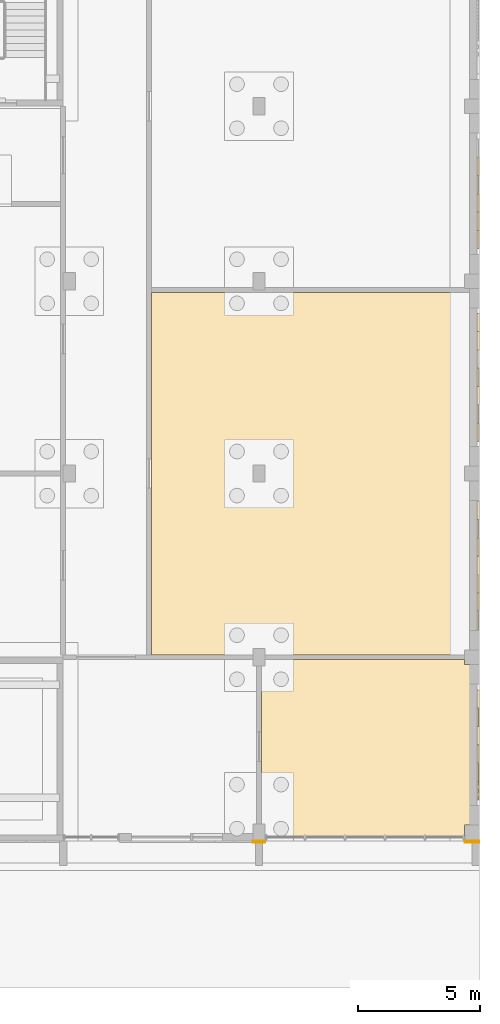
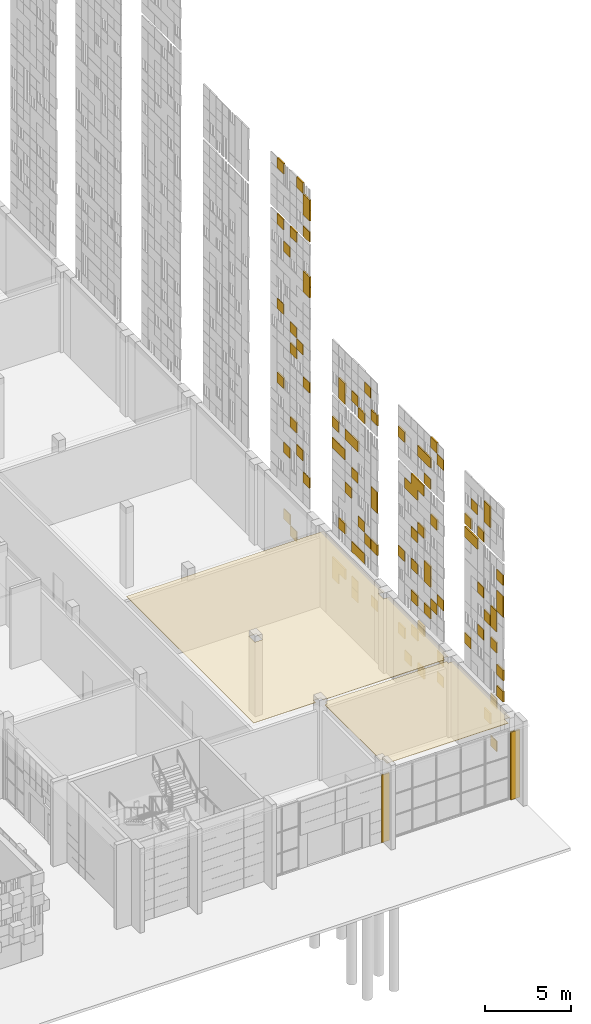
# One storey, part 104 of 125: 4 coverings.
"""IFC4 building model written with IfcOpenShell, lengths in metres."""

from ifc_helpers import new_model, si_unit, direction, frame, origin, origin_2d, place, context, subcontext, project, spatial, polyline, rectangle, outline, extrude, material, layer, layer_set, type_object, element, save


model = new_model("IFC4")

# Units and contexts
model_context = context("Model", 3, precision=1e-05, world=origin(), true_north=direction((0.0, 1.0)))
body_context = subcontext(model_context, "Body", "Model", "MODEL_VIEW")
ifc_project = project(units=[si_unit("LENGTHUNIT", "METRE"), si_unit("AREAUNIT", "SQUARE_METRE"), si_unit("VOLUMEUNIT", "CUBIC_METRE"), si_unit("PLANEANGLEUNIT", "RADIAN"), si_unit("MASSUNIT", "GRAM", prefix="KILO")], contexts=[model_context])

# Site, building, storey
site_placement = place(None, origin())
site = spatial("IfcSite", under=ifc_project, at=site_placement, CompositionType="ELEMENT")
building_placement = place(site_placement, origin())
building = spatial("IfcBuilding", under=site, at=building_placement, Name="Sun Court Science Centre", CompositionType="ELEMENT")
storey_placement = place(building_placement, origin())
storey = spatial("IfcBuildingStorey", under=building, at=storey_placement, Name="L00", CompositionType="ELEMENT", Elevation=0.0)

# Coverings
ifc_material_1 = material(Name="Gypsum board")
ifc_layer_1 = layer(ifc_material_1, 0.030029296875)
ifc_layer_set_1 = layer_set([ifc_layer_1], Name="Gypsum board")
covering_type_1 = type_object("IfcCoveringType", Name="Ceiling suspended 600 module", PredefinedType="CEILING", material=ifc_layer_set_1)
covering_1_placement = place(storey_placement, frame((0.0, 0.0, 5.27001953125)))
element("IfcCovering", 1, at=covering_1_placement, inside=storey, type_object=covering_type_1, Name="L00-044 ceiling", PredefinedType="CEILING", context=body_context, shape_type="SweptSolid", body=[
    extrude(outline(polyline([(103.39990234375, 6.199951171875), (95.25, 6.199951171875), (95.25, 6.699951171875), (95.10009765625, 6.699951171875), (95.10009765625, 13.14990234375), (95.25, 13.14990234375), (95.25, 13.39990234375), (103.39990234375, 13.39990234375), (103.39990234375, 13.199951171875), (103.800048828125, 13.199951171875), (103.800048828125, 6.64990234375), (103.39990234375, 6.64990234375), (103.39990234375, 6.199951171875)])), origin(), (0.0, 0.0, 1.0), 0.030029296875),
])
covering_2_placement = place(storey_placement, frame((0.0, 0.0, 5.27001953125)))
element("IfcCovering", 2, at=covering_2_placement, inside=storey, type_object=covering_type_1, Name="L00-053 ceiling", PredefinedType="CEILING", context=body_context, shape_type="SweptSolid", body=[
    extrude(outline(polyline([(95.25, 13.60009765625), (95.25, 13.85009765625), (94.75, 13.85009765625), (94.75, 13.60009765625), (90.60009765625, 13.60009765625), (90.60009765625, 28.39990234375), (103.800048828125, 28.39990234375), (103.800048828125, 21.300048828125), (103.39990234375, 21.300048828125), (103.39990234375, 20.699951171875), (103.800048828125, 20.699951171875), (103.800048828125, 13.800048828125), (103.39990234375, 13.800048828125), (103.39990234375, 13.60009765625), (95.25, 13.60009765625)]), holes=[polyline([(95.25, 20.64990234375), (95.25, 21.35009765625), (94.75, 21.35009765625), (94.75, 20.64990234375), (95.25, 20.64990234375)])]), origin(), (0.0, 0.0, 1.0), 0.030029296875),
])
ifc_material_2 = material(Name="Red sandstone", Category="masonry")
ifc_layer_2 = layer(ifc_material_2, 0.080078125)
ifc_layer_set_2 = layer_set([ifc_layer_2], Name="Red sandstone")
covering_type_2 = type_object("IfcCoveringType", Name="Red sandstone pier cladding", PredefinedType="CLADDING", material=ifc_layer_set_2)
covering_3_placement = place(storey_placement, origin())
element("IfcCovering", 3, at=covering_3_placement, inside=storey, type_object=covering_type_2, Name="Red sandstone pier cladding south face L00", PredefinedType="CLADDING", context=body_context, shape_type="SweptSolid", body=[
    extrude(rectangle(XDim=0.60009765625, YDim=0.080078125, at=origin_2d()), frame((103.699951171875, 5.9599609375, 0.0), z_axis=(0.0, 0.0, 1.0), x_axis=(-1.0, 0.0, 0.0)), (0.0, 0.0, 1.0), 4.800048828125),
    extrude(rectangle(XDim=0.5, YDim=0.080078125, at=origin_2d()), frame((95.0, 5.9599609375, 0.0), z_axis=(0.0, 0.0, 1.0), x_axis=(-1.0, 0.0, 0.0)), (0.0, 0.0, 1.0), 4.800048828125),
])
ifc_material_3 = material(Name="Terracotta shade 3", Category="masonry")
ifc_layer_3 = layer(ifc_material_3, 0.06005859375)
ifc_layer_set_3 = layer_set([ifc_layer_3], Name="Terracotta shade 3")
covering_type_3 = type_object("IfcCoveringType", Name="Terracotta pixel panel shade 3", PredefinedType="CLADDING", material=ifc_layer_set_3)
covering_4_placement = place(storey_placement, origin())
element("IfcCovering", 4, at=covering_4_placement, inside=storey, type_object=covering_type_3, Name="Terracotta pixel cladding shade 3 east party wall L00", PredefinedType="CLADDING", context=body_context, shape_type="SweptSolid", body=[
    extrude(rectangle(XDim=0.739990234375, YDim=0.06005859375, at=origin_2d()), frame((103.929931640625, 8.800048828125, 1.72998046875), z_axis=(0.0, 0.0, 1.0), x_axis=(0.0, -1.0, 0.0)), (0.0, 0.0, 1.0), 0.739990234375),
    extrude(rectangle(XDim=0.739990234375, YDim=0.10009765625, at=origin_2d()), frame((103.949951171875, 9.550048828125, 3.22998046875), z_axis=(0.0, 0.0, 1.0), x_axis=(0.0, -1.0, 0.0)), (0.0, 0.0, 1.0), 0.739990234375),
    extrude(rectangle(XDim=0.739990234375, YDim=0.06005859375, at=origin_2d()), frame((103.929931640625, 8.800048828125, 4.72998046875), z_axis=(0.0, 0.0, 1.0), x_axis=(0.0, -1.0, 0.0)), (0.0, 0.0, 1.0), 0.739990234375),
    extrude(rectangle(XDim=0.739990234375, YDim=0.06005859375, at=origin_2d()), frame((103.929931640625, 18.75, 1.72998046875), z_axis=(0.0, 0.0, 1.0), x_axis=(0.0, -1.0, 0.0)), (0.0, 0.0, 1.0), 0.739990234375),
    extrude(rectangle(XDim=0.739990234375, YDim=0.10009765625, at=origin_2d()), frame((103.949951171875, 17.25, 1.72998046875), z_axis=(0.0, 0.0, 1.0), x_axis=(0.0, -1.0, 0.0)), (0.0, 0.0, 1.0), 0.739990234375),
    extrude(rectangle(XDim=0.739990234375, YDim=0.06005859375, at=origin_2d()), frame((103.929931640625, 15.0, 2.47998046875), z_axis=(0.0, 0.0, 1.0), x_axis=(0.0, -1.0, 0.0)), (0.0, 0.0, 1.0), 0.739990234375),
    extrude(rectangle(XDim=0.739990234375, YDim=0.10009765625, at=origin_2d()), frame((103.949951171875, 19.5, 3.22998046875), z_axis=(0.0, 0.0, 1.0), x_axis=(0.0, -1.0, 0.0)), (0.0, 0.0, 1.0), 0.739990234375),
    extrude(rectangle(XDim=0.739990234375, YDim=0.10009765625, at=origin_2d()), frame((103.949951171875, 18.0, 3.97998046875), z_axis=(0.0, 0.0, 1.0), x_axis=(0.0, -1.0, 0.0)), (0.0, 0.0, 1.0), 0.739990234375),
    extrude(rectangle(XDim=0.739990234375, YDim=0.06005859375, at=origin_2d()), frame((103.929931640625, 15.0, 3.97998046875), z_axis=(0.0, 0.0, 1.0), x_axis=(0.0, -1.0, 0.0)), (0.0, 0.0, 1.0), 0.739990234375),
    extrude(rectangle(XDim=0.739990234375, YDim=0.10009765625, at=origin_2d()), frame((103.949951171875, 17.25, 4.72998046875), z_axis=(0.0, 0.0, 1.0), x_axis=(0.0, -1.0, 0.0)), (0.0, 0.0, 1.0), 0.739990234375),
    extrude(rectangle(XDim=0.739990234375, YDim=0.06005859375, at=origin_2d()), frame((103.929931640625, 27.175048828125, 2.47998046875), z_axis=(0.0, 0.0, 1.0), x_axis=(0.0, -1.0, 0.0)), (0.0, 0.0, 1.0), 0.739990234375),
    extrude(rectangle(XDim=0.739990234375, YDim=0.06005859375, at=origin_2d()), frame((103.929931640625, 24.925048828125, 2.47998046875), z_axis=(0.0, 0.0, 1.0), x_axis=(0.0, -1.0, 0.0)), (0.0, 0.0, 1.0), 0.739990234375),
    extrude(rectangle(XDim=0.739990234375, YDim=0.10009765625, at=origin_2d()), frame((103.949951171875, 27.175048828125, 3.22998046875), z_axis=(0.0, 0.0, 1.0), x_axis=(0.0, -1.0, 0.0)), (0.0, 0.0, 1.0), 0.739990234375),
    extrude(rectangle(XDim=0.739990234375, YDim=0.10009765625, at=origin_2d()), frame((103.949951171875, 26.425048828125, 3.22998046875), z_axis=(0.0, 0.0, 1.0), x_axis=(0.0, -1.0, 0.0)), (0.0, 0.0, 1.0), 0.739990234375),
    extrude(rectangle(XDim=0.739990234375, YDim=0.06005859375, at=origin_2d()), frame((103.929931640625, 24.925048828125, 3.22998046875), z_axis=(0.0, 0.0, 1.0), x_axis=(0.0, -1.0, 0.0)), (0.0, 0.0, 1.0), 0.739990234375),
    extrude(rectangle(XDim=0.739990234375, YDim=0.06005859375, at=origin_2d()), frame((103.929931640625, 22.675048828125, 3.22998046875), z_axis=(0.0, 0.0, 1.0), x_axis=(0.0, -1.0, 0.0)), (0.0, 0.0, 1.0), 0.739990234375),
    extrude(rectangle(XDim=0.739990234375, YDim=0.06005859375, at=origin_2d()), frame((103.929931640625, 32.050048828125, 2.47998046875), z_axis=(0.0, 0.0, 1.0), x_axis=(0.0, -1.0, 0.0)), (0.0, 0.0, 1.0), 0.739990234375),
    extrude(rectangle(XDim=0.739990234375, YDim=0.06005859375, at=origin_2d()), frame((103.929931640625, 32.800048828125, 3.22998046875), z_axis=(0.0, 0.0, 1.0), x_axis=(0.0, -1.0, 0.0)), (0.0, 0.0, 1.0), 0.739990234375),
    extrude(rectangle(XDim=0.739990234375, YDim=0.10009765625, at=origin_2d()), frame((103.949951171875, 8.050048828125, 5.705078125), z_axis=(0.0, 0.0, 1.0), x_axis=(0.0, -1.0, 0.0)), (0.0, 0.0, 1.0), 0.739990234375),
    extrude(rectangle(XDim=0.739990234375, YDim=0.06005859375, at=origin_2d()), frame((103.929931640625, 11.800048828125, 7.205078125), z_axis=(0.0, 0.0, 1.0), x_axis=(0.0, -1.0, 0.0)), (0.0, 0.0, 1.0), 0.739990234375),
    extrude(rectangle(XDim=0.739990234375, YDim=0.10009765625, at=origin_2d()), frame((103.949951171875, 8.050048828125, 7.205078125), z_axis=(0.0, 0.0, 1.0), x_axis=(0.0, -1.0, 0.0)), (0.0, 0.0, 1.0), 0.739990234375),
    extrude(rectangle(XDim=0.739990234375, YDim=0.06005859375, at=origin_2d()), frame((103.929931640625, 10.300048828125, 8.705078125), z_axis=(0.0, 0.0, 1.0), x_axis=(0.0, -1.0, 0.0)), (0.0, 0.0, 1.0), 0.739990234375),
    extrude(rectangle(XDim=0.739990234375, YDim=0.10009765625, at=origin_2d()), frame((103.949951171875, 8.800048828125, 8.705078125), z_axis=(0.0, 0.0, 1.0), x_axis=(0.0, -1.0, 0.0)), (0.0, 0.0, 1.0), 0.739990234375),
    extrude(rectangle(XDim=0.739990234375, YDim=0.10009765625, at=origin_2d()), frame((103.949951171875, 9.550048828125, 10.205078125), z_axis=(0.0, 0.0, 1.0), x_axis=(0.0, -1.0, 0.0)), (0.0, 0.0, 1.0), 0.739990234375),
    extrude(rectangle(XDim=0.739990234375, YDim=0.06005859375, at=origin_2d()), frame((103.929931640625, 8.800048828125, 10.205078125), z_axis=(0.0, 0.0, 1.0), x_axis=(0.0, -1.0, 0.0)), (0.0, 0.0, 1.0), 0.739990234375),
    extrude(rectangle(XDim=0.739990234375, YDim=0.10009765625, at=origin_2d()), frame((103.949951171875, 18.0, 6.455078125), z_axis=(0.0, 0.0, 1.0), x_axis=(0.0, -1.0, 0.0)), (0.0, 0.0, 1.0), 0.739990234375),
    extrude(rectangle(XDim=0.739990234375, YDim=0.10009765625, at=origin_2d()), frame((103.949951171875, 16.5, 6.455078125), z_axis=(0.0, 0.0, 1.0), x_axis=(0.0, -1.0, 0.0)), (0.0, 0.0, 1.0), 0.739990234375),
    extrude(rectangle(XDim=0.739990234375, YDim=0.06005859375, at=origin_2d()), frame((103.929931640625, 15.75, 7.205078125), z_axis=(0.0, 0.0, 1.0), x_axis=(0.0, -1.0, 0.0)), (0.0, 0.0, 1.0), 0.739990234375),
    extrude(rectangle(XDim=0.739990234375, YDim=0.06005859375, at=origin_2d()), frame((103.929931640625, 15.0, 7.955078125), z_axis=(0.0, 0.0, 1.0), x_axis=(0.0, -1.0, 0.0)), (0.0, 0.0, 1.0), 0.739990234375),
    extrude(rectangle(XDim=0.739990234375, YDim=0.06005859375, at=origin_2d()), frame((103.929931640625, 19.5, 8.705078125), z_axis=(0.0, 0.0, 1.0), x_axis=(0.0, -1.0, 0.0)), (0.0, 0.0, 1.0), 0.739990234375),
    extrude(rectangle(XDim=0.739990234375, YDim=0.06005859375, at=origin_2d()), frame((103.929931640625, 18.0, 8.705078125), z_axis=(0.0, 0.0, 1.0), x_axis=(0.0, -1.0, 0.0)), (0.0, 0.0, 1.0), 0.739990234375),
    extrude(rectangle(XDim=0.739990234375, YDim=0.10009765625, at=origin_2d()), frame((103.949951171875, 16.5, 8.705078125), z_axis=(0.0, 0.0, 1.0), x_axis=(0.0, -1.0, 0.0)), (0.0, 0.0, 1.0), 0.739990234375),
    extrude(rectangle(XDim=0.739990234375, YDim=0.10009765625, at=origin_2d()), frame((103.949951171875, 16.5, 9.455078125), z_axis=(0.0, 0.0, 1.0), x_axis=(0.0, -1.0, 0.0)), (0.0, 0.0, 1.0), 0.739990234375),
    extrude(rectangle(XDim=0.739990234375, YDim=0.06005859375, at=origin_2d()), frame((103.929931640625, 24.925048828125, 5.705078125), z_axis=(0.0, 0.0, 1.0), x_axis=(0.0, -1.0, 0.0)), (0.0, 0.0, 1.0), 0.739990234375),
    extrude(rectangle(XDim=0.739990234375, YDim=0.06005859375, at=origin_2d()), frame((103.929931640625, 24.175048828125, 5.705078125), z_axis=(0.0, 0.0, 1.0), x_axis=(0.0, -1.0, 0.0)), (0.0, 0.0, 1.0), 0.739990234375),
    extrude(rectangle(XDim=0.739990234375, YDim=0.10009765625, at=origin_2d()), frame((103.949951171875, 26.425048828125, 6.455078125), z_axis=(0.0, 0.0, 1.0), x_axis=(0.0, -1.0, 0.0)), (0.0, 0.0, 1.0), 0.739990234375),
    extrude(rectangle(XDim=0.739990234375, YDim=0.06005859375, at=origin_2d()), frame((103.929931640625, 23.425048828125, 7.205078125), z_axis=(0.0, 0.0, 1.0), x_axis=(0.0, -1.0, 0.0)), (0.0, 0.0, 1.0), 0.739990234375),
    extrude(rectangle(XDim=0.739990234375, YDim=0.10009765625, at=origin_2d()), frame((103.949951171875, 22.675048828125, 7.205078125), z_axis=(0.0, 0.0, 1.0), x_axis=(0.0, -1.0, 0.0)), (0.0, 0.0, 1.0), 0.739990234375),
    extrude(rectangle(XDim=0.739990234375, YDim=0.06005859375, at=origin_2d()), frame((103.929931640625, 24.175048828125, 7.955078125), z_axis=(0.0, 0.0, 1.0), x_axis=(0.0, -1.0, 0.0)), (0.0, 0.0, 1.0), 0.739990234375),
    extrude(rectangle(XDim=0.739990234375, YDim=0.06005859375, at=origin_2d()), frame((103.929931640625, 25.675048828125, 9.455078125), z_axis=(0.0, 0.0, 1.0), x_axis=(0.0, -1.0, 0.0)), (0.0, 0.0, 1.0), 0.739990234375),
    extrude(rectangle(XDim=0.739990234375, YDim=0.06005859375, at=origin_2d()), frame((103.929931640625, 22.675048828125, 10.205078125), z_axis=(0.0, 0.0, 1.0), x_axis=(0.0, -1.0, 0.0)), (0.0, 0.0, 1.0), 0.739990234375),
    extrude(rectangle(XDim=0.739990234375, YDim=0.06005859375, at=origin_2d()), frame((103.929931640625, 30.550048828125, 7.205078125), z_axis=(0.0, 0.0, 1.0), x_axis=(0.0, -1.0, 0.0)), (0.0, 0.0, 1.0), 0.739990234375),
    extrude(rectangle(XDim=0.739990234375, YDim=0.06005859375, at=origin_2d()), frame((103.929931640625, 32.800048828125, 7.955078125), z_axis=(0.0, 0.0, 1.0), x_axis=(0.0, -1.0, 0.0)), (0.0, 0.0, 1.0), 0.739990234375),
    extrude(rectangle(XDim=0.739990234375, YDim=0.06005859375, at=origin_2d()), frame((103.929931640625, 31.300048828125, 8.705078125), z_axis=(0.0, 0.0, 1.0), x_axis=(0.0, -1.0, 0.0)), (0.0, 0.0, 1.0), 0.739990234375),
    extrude(rectangle(XDim=0.739990234375, YDim=0.10009765625, at=origin_2d()), frame((103.949951171875, 32.050048828125, 10.205078125), z_axis=(0.0, 0.0, 1.0), x_axis=(0.0, -1.0, 0.0)), (0.0, 0.0, 1.0), 0.739990234375),
    extrude(rectangle(XDim=0.739990234375, YDim=0.06005859375, at=origin_2d()), frame((103.929931640625, 8.800048828125, 10.955078125), z_axis=(0.0, 0.0, 1.0), x_axis=(0.0, -1.0, 0.0)), (0.0, 0.0, 1.0), 0.739990234375),
    extrude(rectangle(XDim=0.739990234375, YDim=0.06005859375, at=origin_2d()), frame((103.929931640625, 10.300048828125, 11.705078125), z_axis=(0.0, 0.0, 1.0), x_axis=(0.0, -1.0, 0.0)), (0.0, 0.0, 1.0), 0.739990234375),
    extrude(rectangle(XDim=0.739990234375, YDim=0.06005859375, at=origin_2d()), frame((103.929931640625, 8.050048828125, 12.455078125), z_axis=(0.0, 0.0, 1.0), x_axis=(0.0, -1.0, 0.0)), (0.0, 0.0, 1.0), 0.739990234375),
    extrude(rectangle(XDim=0.739990234375, YDim=0.06005859375, at=origin_2d()), frame((103.929931640625, 8.050048828125, 13.955078125), z_axis=(0.0, 0.0, 1.0), x_axis=(0.0, -1.0, 0.0)), (0.0, 0.0, 1.0), 0.739990234375),
    extrude(rectangle(XDim=0.739990234375, YDim=0.10009765625, at=origin_2d()), frame((103.949951171875, 11.800048828125, 14.705078125), z_axis=(0.0, 0.0, 1.0), x_axis=(0.0, -1.0, 0.0)), (0.0, 0.0, 1.0), 0.739990234375),
    extrude(rectangle(XDim=0.739990234375, YDim=0.10009765625, at=origin_2d()), frame((103.949951171875, 11.050048828125, 14.705078125), z_axis=(0.0, 0.0, 1.0), x_axis=(0.0, -1.0, 0.0)), (0.0, 0.0, 1.0), 0.739990234375),
    extrude(rectangle(XDim=0.739990234375, YDim=0.06005859375, at=origin_2d()), frame((103.929931640625, 18.0, 10.955078125), z_axis=(0.0, 0.0, 1.0), x_axis=(0.0, -1.0, 0.0)), (0.0, 0.0, 1.0), 0.739990234375),
    extrude(rectangle(XDim=0.739990234375, YDim=0.10009765625, at=origin_2d()), frame((103.949951171875, 17.25, 11.705078125), z_axis=(0.0, 0.0, 1.0), x_axis=(0.0, -1.0, 0.0)), (0.0, 0.0, 1.0), 0.739990234375),
    extrude(rectangle(XDim=0.739990234375, YDim=0.10009765625, at=origin_2d()), frame((103.949951171875, 15.75, 13.205078125), z_axis=(0.0, 0.0, 1.0), x_axis=(0.0, -1.0, 0.0)), (0.0, 0.0, 1.0), 0.739990234375),
    extrude(rectangle(XDim=0.739990234375, YDim=0.06005859375, at=origin_2d()), frame((103.929931640625, 18.75, 13.955078125), z_axis=(0.0, 0.0, 1.0), x_axis=(0.0, -1.0, 0.0)), (0.0, 0.0, 1.0), 0.739990234375),
    extrude(rectangle(XDim=0.739990234375, YDim=0.10009765625, at=origin_2d()), frame((103.949951171875, 18.0, 13.955078125), z_axis=(0.0, 0.0, 1.0), x_axis=(0.0, -1.0, 0.0)), (0.0, 0.0, 1.0), 0.739990234375),
    extrude(rectangle(XDim=0.739990234375, YDim=0.10009765625, at=origin_2d()), frame((103.949951171875, 18.0, 14.705078125), z_axis=(0.0, 0.0, 1.0), x_axis=(0.0, -1.0, 0.0)), (0.0, 0.0, 1.0), 0.739990234375),
    extrude(rectangle(XDim=0.739990234375, YDim=0.06005859375, at=origin_2d()), frame((103.929931640625, 17.25, 14.705078125), z_axis=(0.0, 0.0, 1.0), x_axis=(0.0, -1.0, 0.0)), (0.0, 0.0, 1.0), 0.739990234375),
    extrude(rectangle(XDim=0.739990234375, YDim=0.06005859375, at=origin_2d()), frame((103.929931640625, 24.925048828125, 10.955078125), z_axis=(0.0, 0.0, 1.0), x_axis=(0.0, -1.0, 0.0)), (0.0, 0.0, 1.0), 0.739990234375),
    extrude(rectangle(XDim=0.739990234375, YDim=0.06005859375, at=origin_2d()), frame((103.929931640625, 22.675048828125, 10.955078125), z_axis=(0.0, 0.0, 1.0), x_axis=(0.0, -1.0, 0.0)), (0.0, 0.0, 1.0), 0.739990234375),
    extrude(rectangle(XDim=0.739990234375, YDim=0.10009765625, at=origin_2d()), frame((103.949951171875, 27.175048828125, 11.705078125), z_axis=(0.0, 0.0, 1.0), x_axis=(0.0, -1.0, 0.0)), (0.0, 0.0, 1.0), 0.739990234375),
    extrude(rectangle(XDim=0.739990234375, YDim=0.06005859375, at=origin_2d()), frame((103.929931640625, 26.425048828125, 11.705078125), z_axis=(0.0, 0.0, 1.0), x_axis=(0.0, -1.0, 0.0)), (0.0, 0.0, 1.0), 0.739990234375),
    extrude(rectangle(XDim=0.739990234375, YDim=0.10009765625, at=origin_2d()), frame((103.949951171875, 27.175048828125, 13.205078125), z_axis=(0.0, 0.0, 1.0), x_axis=(0.0, -1.0, 0.0)), (0.0, 0.0, 1.0), 0.739990234375),
    extrude(rectangle(XDim=0.739990234375, YDim=0.06005859375, at=origin_2d()), frame((103.929931640625, 25.675048828125, 13.205078125), z_axis=(0.0, 0.0, 1.0), x_axis=(0.0, -1.0, 0.0)), (0.0, 0.0, 1.0), 0.739990234375),
    extrude(rectangle(XDim=0.739990234375, YDim=0.10009765625, at=origin_2d()), frame((103.949951171875, 24.925048828125, 13.205078125), z_axis=(0.0, 0.0, 1.0), x_axis=(0.0, -1.0, 0.0)), (0.0, 0.0, 1.0), 0.739990234375),
    extrude(rectangle(XDim=0.739990234375, YDim=0.10009765625, at=origin_2d()), frame((103.949951171875, 33.550048828125, 12.455078125), z_axis=(0.0, 0.0, 1.0), x_axis=(0.0, -1.0, 0.0)), (0.0, 0.0, 1.0), 0.739990234375),
    extrude(rectangle(XDim=0.739990234375, YDim=0.06005859375, at=origin_2d()), frame((103.929931640625, 30.550048828125, 13.955078125), z_axis=(0.0, 0.0, 1.0), x_axis=(0.0, -1.0, 0.0)), (0.0, 0.0, 1.0), 0.739990234375),
    extrude(rectangle(XDim=0.739990234375, YDim=0.10009765625, at=origin_2d()), frame((103.949951171875, 11.800048828125, 15.65478515625), z_axis=(0.0, 0.0, 1.0), x_axis=(0.0, -1.0, 0.0)), (0.0, 0.0, 1.0), 0.739990234375),
    extrude(rectangle(XDim=0.739990234375, YDim=0.10009765625, at=origin_2d()), frame((103.949951171875, 10.300048828125, 15.65478515625), z_axis=(0.0, 0.0, 1.0), x_axis=(0.0, -1.0, 0.0)), (0.0, 0.0, 1.0), 0.739990234375),
    extrude(rectangle(XDim=0.739990234375, YDim=0.06005859375, at=origin_2d()), frame((103.929931640625, 11.050048828125, 17.15478515625), z_axis=(0.0, 0.0, 1.0), x_axis=(0.0, -1.0, 0.0)), (0.0, 0.0, 1.0), 0.739990234375),
    extrude(rectangle(XDim=0.739990234375, YDim=0.10009765625, at=origin_2d()), frame((103.949951171875, 9.550048828125, 17.15478515625), z_axis=(0.0, 0.0, 1.0), x_axis=(0.0, -1.0, 0.0)), (0.0, 0.0, 1.0), 0.739990234375),
    extrude(rectangle(XDim=0.739990234375, YDim=0.10009765625, at=origin_2d()), frame((103.949951171875, 9.550048828125, 17.90478515625), z_axis=(0.0, 0.0, 1.0), x_axis=(0.0, -1.0, 0.0)), (0.0, 0.0, 1.0), 0.739990234375),
    extrude(rectangle(XDim=0.739990234375, YDim=0.06005859375, at=origin_2d()), frame((103.929931640625, 16.5, 15.65478515625), z_axis=(0.0, 0.0, 1.0), x_axis=(0.0, -1.0, 0.0)), (0.0, 0.0, 1.0), 0.739990234375),
    extrude(rectangle(XDim=0.739990234375, YDim=0.10009765625, at=origin_2d()), frame((103.949951171875, 19.5, 17.15478515625), z_axis=(0.0, 0.0, 1.0), x_axis=(0.0, -1.0, 0.0)), (0.0, 0.0, 1.0), 0.739990234375),
    extrude(rectangle(XDim=0.739990234375, YDim=0.10009765625, at=origin_2d()), frame((103.949951171875, 17.25, 17.15478515625), z_axis=(0.0, 0.0, 1.0), x_axis=(0.0, -1.0, 0.0)), (0.0, 0.0, 1.0), 0.739990234375),
    extrude(rectangle(XDim=0.739990234375, YDim=0.10009765625, at=origin_2d()), frame((103.949951171875, 16.5, 17.15478515625), z_axis=(0.0, 0.0, 1.0), x_axis=(0.0, -1.0, 0.0)), (0.0, 0.0, 1.0), 0.739990234375),
    extrude(rectangle(XDim=0.739990234375, YDim=0.06005859375, at=origin_2d()), frame((103.929931640625, 15.0, 17.90478515625), z_axis=(0.0, 0.0, 1.0), x_axis=(0.0, -1.0, 0.0)), (0.0, 0.0, 1.0), 0.739990234375),
    extrude(rectangle(XDim=0.739990234375, YDim=0.10009765625, at=origin_2d()), frame((103.949951171875, 15.75, 18.65478515625), z_axis=(0.0, 0.0, 1.0), x_axis=(0.0, -1.0, 0.0)), (0.0, 0.0, 1.0), 0.739990234375),
    extrude(rectangle(XDim=0.739990234375, YDim=0.06005859375, at=origin_2d()), frame((103.929931640625, 26.425048828125, 15.65478515625), z_axis=(0.0, 0.0, 1.0), x_axis=(0.0, -1.0, 0.0)), (0.0, 0.0, 1.0), 0.739990234375),
    extrude(rectangle(XDim=0.739990234375, YDim=0.10009765625, at=origin_2d()), frame((103.949951171875, 24.175048828125, 15.65478515625), z_axis=(0.0, 0.0, 1.0), x_axis=(0.0, -1.0, 0.0)), (0.0, 0.0, 1.0), 0.739990234375),
    extrude(rectangle(XDim=0.739990234375, YDim=0.10009765625, at=origin_2d()), frame((103.949951171875, 26.425048828125, 16.40478515625), z_axis=(0.0, 0.0, 1.0), x_axis=(0.0, -1.0, 0.0)), (0.0, 0.0, 1.0), 0.739990234375),
    extrude(rectangle(XDim=0.739990234375, YDim=0.06005859375, at=origin_2d()), frame((103.929931640625, 24.925048828125, 16.40478515625), z_axis=(0.0, 0.0, 1.0), x_axis=(0.0, -1.0, 0.0)), (0.0, 0.0, 1.0), 0.739990234375),
    extrude(rectangle(XDim=0.739990234375, YDim=0.10009765625, at=origin_2d()), frame((103.949951171875, 22.675048828125, 16.40478515625), z_axis=(0.0, 0.0, 1.0), x_axis=(0.0, -1.0, 0.0)), (0.0, 0.0, 1.0), 0.739990234375),
    extrude(rectangle(XDim=0.739990234375, YDim=0.06005859375, at=origin_2d()), frame((103.929931640625, 23.425048828125, 17.90478515625), z_axis=(0.0, 0.0, 1.0), x_axis=(0.0, -1.0, 0.0)), (0.0, 0.0, 1.0), 0.739990234375),
    extrude(rectangle(XDim=0.739990234375, YDim=0.10009765625, at=origin_2d()), frame((103.949951171875, 32.050048828125, 15.455078125), z_axis=(0.0, 0.0, 1.0), x_axis=(0.0, -1.0, 0.0)), (0.0, 0.0, 1.0), 0.739990234375),
    extrude(rectangle(XDim=0.739990234375, YDim=0.06005859375, at=origin_2d()), frame((103.929931640625, 31.300048828125, 16.205078125), z_axis=(0.0, 0.0, 1.0), x_axis=(0.0, -1.0, 0.0)), (0.0, 0.0, 1.0), 0.739990234375),
    extrude(rectangle(XDim=0.739990234375, YDim=0.06005859375, at=origin_2d()), frame((103.929931640625, 32.050048828125, 16.955078125), z_axis=(0.0, 0.0, 1.0), x_axis=(0.0, -1.0, 0.0)), (0.0, 0.0, 1.0), 0.739990234375),
    extrude(rectangle(XDim=0.739990234375, YDim=0.06005859375, at=origin_2d()), frame((103.929931640625, 33.550048828125, 17.705078125), z_axis=(0.0, 0.0, 1.0), x_axis=(0.0, -1.0, 0.0)), (0.0, 0.0, 1.0), 0.739990234375),
    extrude(rectangle(XDim=0.739990234375, YDim=0.10009765625, at=origin_2d()), frame((103.949951171875, 30.550048828125, 20.705078125), z_axis=(0.0, 0.0, 1.0), x_axis=(0.0, -1.0, 0.0)), (0.0, 0.0, 1.0), 0.739990234375),
    extrude(rectangle(XDim=0.739990234375, YDim=0.10009765625, at=origin_2d()), frame((103.949951171875, 30.550048828125, 21.455078125), z_axis=(0.0, 0.0, 1.0), x_axis=(0.0, -1.0, 0.0)), (0.0, 0.0, 1.0), 0.739990234375),
    extrude(rectangle(XDim=0.739990234375, YDim=0.06005859375, at=origin_2d()), frame((103.929931640625, 32.800048828125, 22.205078125), z_axis=(0.0, 0.0, 1.0), x_axis=(0.0, -1.0, 0.0)), (0.0, 0.0, 1.0), 0.739990234375),
    extrude(rectangle(XDim=0.739990234375, YDim=0.06005859375, at=origin_2d()), frame((103.929931640625, 33.550048828125, 23.705078125), z_axis=(0.0, 0.0, 1.0), x_axis=(0.0, -1.0, 0.0)), (0.0, 0.0, 1.0), 0.739990234375),
    extrude(rectangle(XDim=0.739990234375, YDim=0.10009765625, at=origin_2d()), frame((103.949951171875, 32.050048828125, 23.705078125), z_axis=(0.0, 0.0, 1.0), x_axis=(0.0, -1.0, 0.0)), (0.0, 0.0, 1.0), 0.739990234375),
    extrude(rectangle(XDim=0.739990234375, YDim=0.06005859375, at=origin_2d()), frame((103.929931640625, 30.550048828125, 24.65478515625), z_axis=(0.0, 0.0, 1.0), x_axis=(0.0, -1.0, 0.0)), (0.0, 0.0, 1.0), 0.739990234375),
    extrude(rectangle(XDim=0.739990234375, YDim=0.10009765625, at=origin_2d()), frame((103.949951171875, 30.550048828125, 26.15478515625), z_axis=(0.0, 0.0, 1.0), x_axis=(0.0, -1.0, 0.0)), (0.0, 0.0, 1.0), 0.739990234375),
    extrude(rectangle(XDim=0.739990234375, YDim=0.10009765625, at=origin_2d()), frame((103.949951171875, 30.550048828125, 26.90478515625), z_axis=(0.0, 0.0, 1.0), x_axis=(0.0, -1.0, 0.0)), (0.0, 0.0, 1.0), 0.739990234375),
    extrude(rectangle(XDim=0.739990234375, YDim=0.10009765625, at=origin_2d()), frame((103.949951171875, 31.300048828125, 27.65478515625), z_axis=(0.0, 0.0, 1.0), x_axis=(0.0, -1.0, 0.0)), (0.0, 0.0, 1.0), 0.739990234375),
    extrude(rectangle(XDim=0.739990234375, YDim=0.06005859375, at=origin_2d()), frame((103.929931640625, 8.050048828125, 11.705078125), z_axis=(0.0, 0.0, 1.0), x_axis=(0.0, -1.0, 0.0)), (0.0, 0.0, 1.0), 0.739990234375),
    extrude(rectangle(XDim=0.739990234375, YDim=0.10009765625, at=origin_2d()), frame((103.949951171875, 33.550048828125, 27.65478515625), z_axis=(0.0, 0.0, 1.0), x_axis=(0.0, -1.0, 0.0)), (0.0, 0.0, 1.0), 0.739990234375),
])

save(model, "model.ifc")
